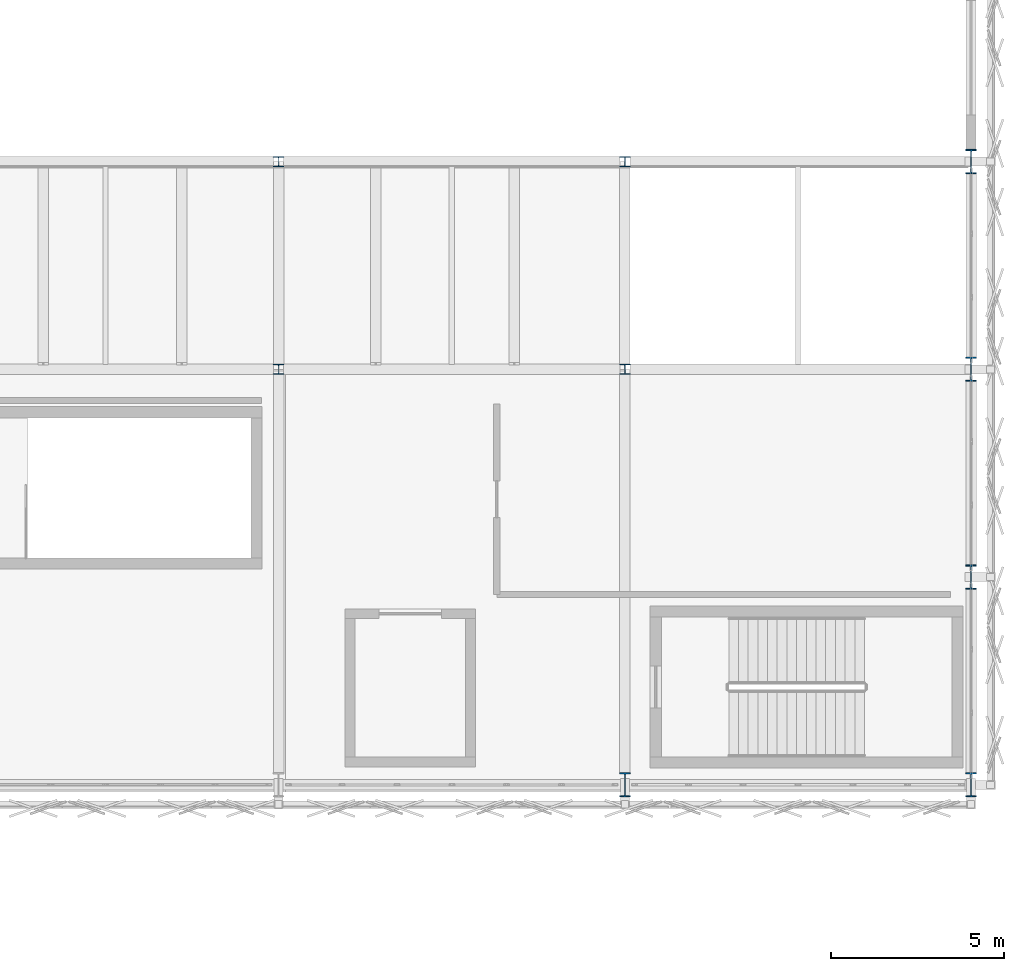
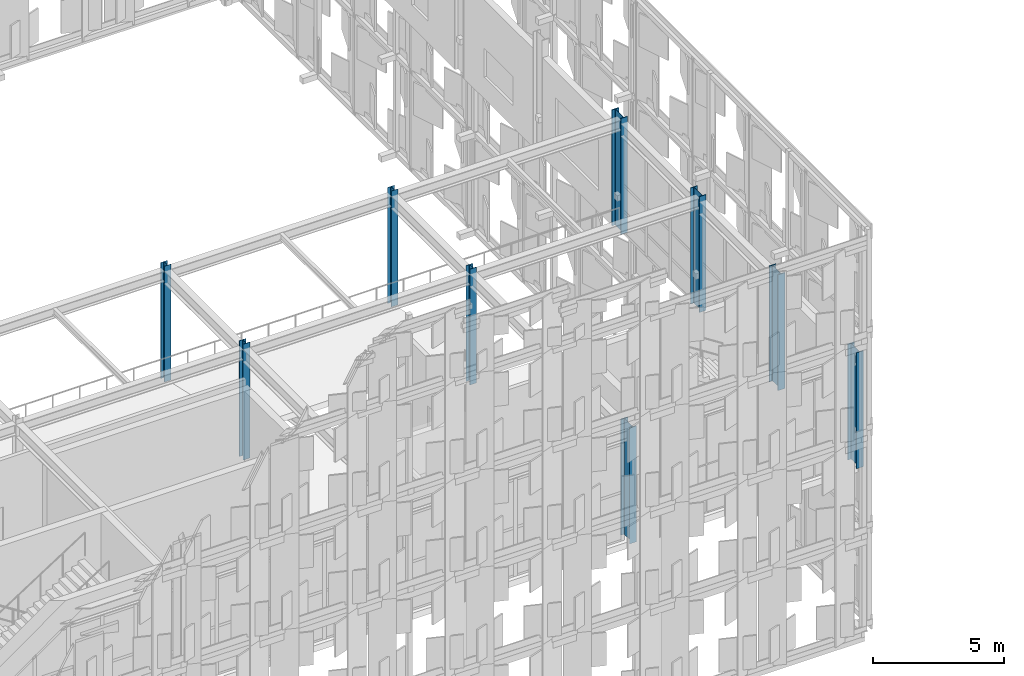
# One storey, part 19 of 239: 9 columns.
"""IFC4 building model written with IfcOpenShell, lengths in metres."""

from ifc_helpers import new_model, si_unit, direction, frame, origin, origin_2d, place, context, subcontext, project, spatial, i_section, extrude, material, material_profile, profile_set, type_object, element, save


model = new_model("IFC4")

# Units and contexts
model_context = context("Model", 3, precision=1e-05, world=origin(), true_north=direction((0.0, 1.0)))
body_context = subcontext(model_context, "Body", "Model", "MODEL_VIEW")
ifc_project = project(units=[si_unit("LENGTHUNIT", "METRE"), si_unit("AREAUNIT", "SQUARE_METRE"), si_unit("VOLUMEUNIT", "CUBIC_METRE"), si_unit("PLANEANGLEUNIT", "RADIAN"), si_unit("MASSUNIT", "GRAM", prefix="KILO")], contexts=[model_context])

# Site, building, storey
site_placement = place(None, origin())
site = spatial("IfcSite", under=ifc_project, at=site_placement, CompositionType="ELEMENT")
building_placement = place(site_placement, origin())
building = spatial("IfcBuilding", under=site, at=building_placement, Name="Kaldris Quays Convention Centre", CompositionType="ELEMENT")
storey_placement = place(building_placement, frame((0.0, 0.0, 11.39990234375)))
storey = spatial("IfcBuildingStorey", under=building, at=storey_placement, Name="L02", CompositionType="ELEMENT", Elevation=11.39990234375)

# Columns
ifc_material = material(Name="Steel S355J2", Category="steel")
ifc_material_profile_1 = material_profile(ifc_material, i_section(OverallWidth=0.300048828125, OverallDepth=0.699951171875, WebThickness=0.01708984375, FlangeThickness=0.031982421875, FilletRadius=0.027099609375, at=origin_2d()), Name="HEB 700")
ifc_profile_set_1 = profile_set([ifc_material_profile_1], Name="Steel S355J2")
column_type_1 = type_object("IfcColumnType", Name="STRUCTURAL COLUMN CL05", PredefinedType="COLUMN", material=ifc_profile_set_1)
for number, where, z_axis, x_axis, name in (
    (1, (194.0, 56.0, 0.0), (0.0, 0.0, 1.0), (1.0, 0.0, 0.0), "L02 V2 Column CL05 (194.00, 56.00)"),
    (2, (204.0, 56.0, 0.0), (0.0, 0.0, 1.0), (1.0, 0.0, 0.0), "L02 V2 Column CL05 (204.00, 56.00)"),
    (3, (204.0, 62.0, 0.0), (0.0, 0.0, 1.0), (1.0, 0.0, 0.0), "L02 V2 Column CL05 (204.00, 62.00)"),
    (4, (204.0, 68.0, 0.0), (0.0, 0.0, 1.0), (1.0, 0.0, 0.0), "L02 V2 Column CL05 (204.00, 68.00)"),
    (5, (204.0, 74.0, 0.0), (0.0, 0.0, 1.0), (1.0, 0.0, 0.0), "L02 V2 Column CL05 (204.00, 74.00)"),
):
    element("IfcColumn", number, at=place(storey_placement, frame(where, z_axis=z_axis, x_axis=x_axis)), inside=storey, type_object=column_type_1, Name=name, PredefinedType="COLUMN", context=body_context, shape_type="SweptSolid", body=[
        extrude(i_section(OverallWidth=0.300048828125, OverallDepth=0.699951171875, WebThickness=0.01708984375, FlangeThickness=0.031982421875, FilletRadius=0.027099609375, at=origin_2d()), origin(), (0.0, 0.0, 1.0), 5.400146484375),
    ])
ifc_material_profile_2 = material_profile(ifc_material, i_section(OverallWidth=0.300048828125, OverallDepth=0.2900390625, WebThickness=0.008544921875, FlangeThickness=0.013916015625, FilletRadius=0.027099609375, at=origin_2d()), Name="HEA 300")
ifc_profile_set_2 = profile_set([ifc_material_profile_2], Name="Steel S355J2")
column_type_2 = type_object("IfcColumnType", Name="STRUCTURAL COLUMN CL13", PredefinedType="COLUMN", material=ifc_profile_set_2)
for number, where, z_axis, x_axis, name in (
    (6, (184.0, 68.0, 0.0), (0.0, 0.0, 1.0), (1.0, 0.0, 0.0), "L02 V2 Column CL13 (184.00, 68.00)"),
    (7, (184.0, 74.0, 0.0), (0.0, 0.0, 1.0), (1.0, 0.0, 0.0), "L02 V2 Column CL13 (184.00, 74.00)"),
    (8, (194.0, 68.0, 0.0), (0.0, 0.0, 1.0), (1.0, 0.0, 0.0), "L02 V2 Column CL13 (194.00, 68.00)"),
    (9, (194.0, 74.0, 0.0), (0.0, 0.0, 1.0), (1.0, 0.0, 0.0), "L02 V2 Column CL13 (194.00, 74.00)"),
):
    element("IfcColumn", number, at=place(storey_placement, frame(where, z_axis=z_axis, x_axis=x_axis)), inside=storey, type_object=column_type_2, Name=name, PredefinedType="COLUMN", context=body_context, shape_type="SweptSolid", body=[
        extrude(i_section(OverallWidth=0.300048828125, OverallDepth=0.2900390625, WebThickness=0.008544921875, FlangeThickness=0.013916015625, FilletRadius=0.027099609375, at=origin_2d()), origin(), (0.0, 0.0, 1.0), 5.400146484375),
    ])

save(model, "model.ifc")
